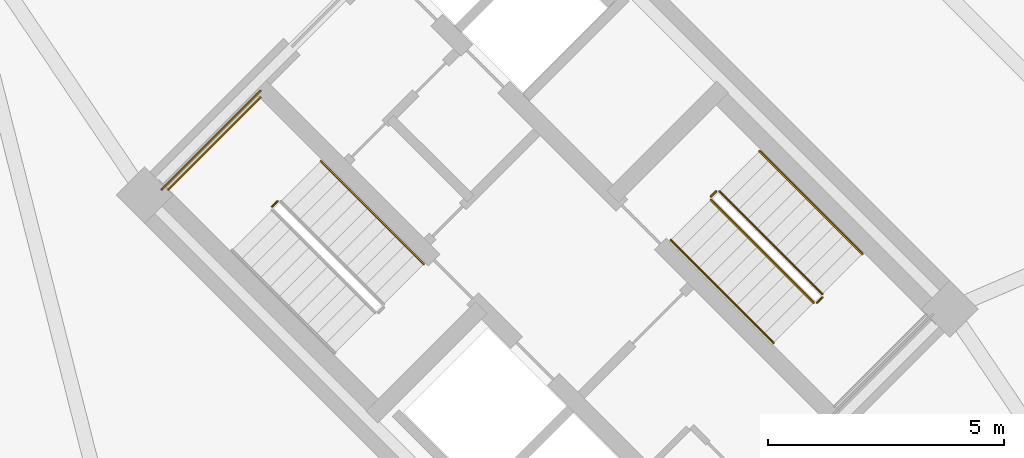
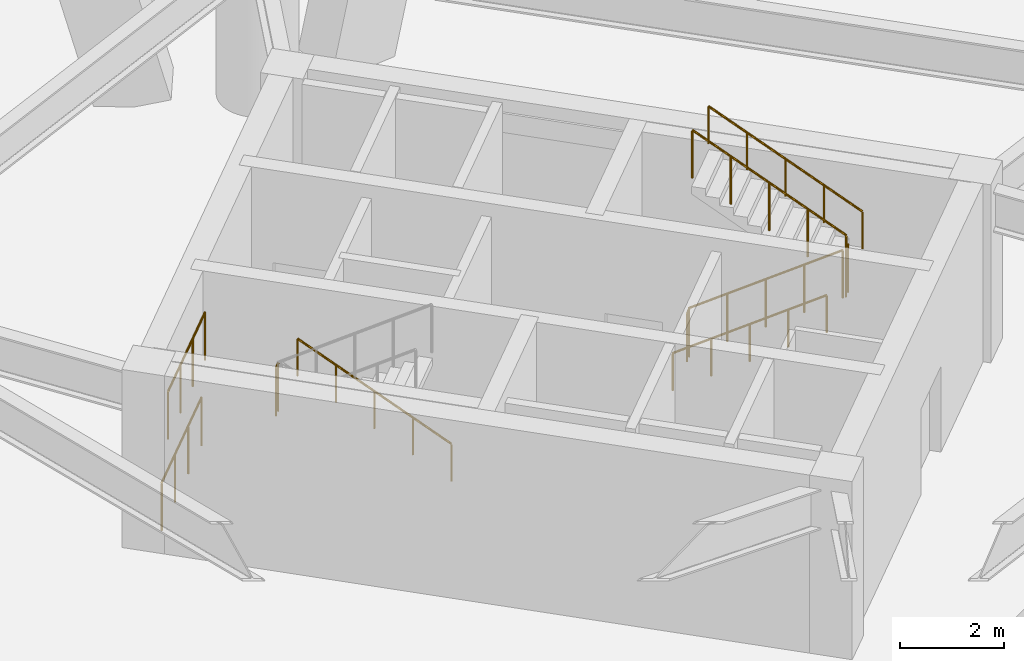
# One storey, part 18 of 20: 10 railings.
"""IFC4 building model written with IfcOpenShell, lengths in metres."""

from ifc_helpers import new_model, si_unit, direction, frame, origin, origin_2d, place, context, subcontext, project, spatial, circle, extrude, material, type_object, element, save


model = new_model("IFC4")

# Units and contexts
model_context = context("Model", 3, precision=1e-05, world=origin(), true_north=direction((0.0, 1.0)))
body_context = subcontext(model_context, "Body", "Model", "MODEL_VIEW")
ifc_project = project(units=[si_unit("LENGTHUNIT", "METRE"), si_unit("AREAUNIT", "SQUARE_METRE"), si_unit("VOLUMEUNIT", "CUBIC_METRE"), si_unit("PLANEANGLEUNIT", "RADIAN"), si_unit("MASSUNIT", "GRAM", prefix="KILO")], contexts=[model_context])

# Site, building, storey
site_placement = place(None, origin())
site = spatial("IfcSite", under=ifc_project, at=site_placement, CompositionType="ELEMENT")
building_placement = place(site_placement, origin())
building = spatial("IfcBuilding", under=site, at=building_placement, Name="Cununo Teusaquillo Station Towers", CompositionType="ELEMENT")
storey_placement = place(building_placement, frame((0.0, 0.0, 9.0)))
storey = spatial("IfcBuildingStorey", under=building, at=storey_placement, Name="L02", CompositionType="ELEMENT", Elevation=9.0)

# Railings
ifc_material_1 = material(Name="Steel EN 10025-2 S355J2", Category="steel")
railing_type_1 = type_object("IfcRailingType", Name="RL-INT-GUARD", PredefinedType="GUARDRAIL", material=ifc_material_1)
railing_1_placement = place(storey_placement, frame((51.78662109375, 25.57470703125, 2.10009765625)))
element("IfcRailing", 1, at=railing_1_placement, inside=storey, type_object=railing_type_1, Name="L02 ST-T2-1 stair guard 2", PredefinedType="GUARDRAIL", context=body_context, shape_type="SweptSolid", body=[
    extrude(circle(Radius=0.02392578125, at=origin_2d()), frame((0.0, 0.0, 1.1259765625), z_axis=(-0.707106781187, -0.707106781187, 0.0), x_axis=(0.707106781187, -0.707106781187, 0.0)), (0.0, 0.0, 1.0), 0.159912109375),
    extrude(circle(Radius=0.02099609375, at=origin_2d()), origin(), (0.0, 0.0, 1.0), 1.101806640625),
    extrude(circle(Radius=0.02099609375, at=origin_2d()), frame((-0.113037109375, -0.113037109375, 0.0)), (0.0, 0.0, 1.0), 1.101806640625),
])
railing_2_placement = place(storey_placement, frame((51.426025390625, 27.77392578125, 2.10009765625)))
element("IfcRailing", 2, at=railing_2_placement, inside=storey, type_object=railing_type_1, Name="L02 ST-T2-1 stair guard 3", PredefinedType="GUARDRAIL", context=body_context, shape_type="SweptSolid", body=[
    extrude(circle(Radius=0.02392578125, at=origin_2d()), frame((0.0, 0.0, 1.1259765625), z_axis=(-0.707106781187, -0.707106781187, 0.0), x_axis=(0.707106781187, -0.707106781187, 0.0)), (0.0, 0.0, 1.0), 2.760009765625),
    extrude(circle(Radius=0.02099609375, at=origin_2d()), origin(), (0.0, 0.0, 1.0), 1.101806640625),
    extrude(circle(Radius=0.02099609375, at=origin_2d()), frame((-0.650634765625, -0.650634765625, 0.0)), (0.0, 0.0, 1.0), 1.101806640625),
    extrude(circle(Radius=0.02099609375, at=origin_2d()), frame((-1.301025390625, -1.301025390625, 0.0)), (0.0, 0.0, 1.0), 1.101806640625),
    extrude(circle(Radius=0.02099609375, at=origin_2d()), frame((-1.95166015625, -1.95166015625, 0.0)), (0.0, 0.0, 1.0), 1.101806640625),
])
railing_3_placement = place(storey_placement, frame((51.426025390625, 27.915283203125, 0.0)))
element("IfcRailing", 3, at=railing_3_placement, inside=storey, type_object=railing_type_1, Name="L02 ST-T2-1 stair guard 6", PredefinedType="GUARDRAIL", context=body_context, shape_type="SweptSolid", body=[
    extrude(circle(Radius=0.02392578125, at=origin_2d()), frame((0.0, 0.0, 1.1259765625), z_axis=(-0.707106781187, -0.707106781187, 0.0), x_axis=(0.707106781187, -0.707106781187, 0.0)), (0.0, 0.0, 1.0), 2.9599609375),
    extrude(circle(Radius=0.02099609375, at=origin_2d()), origin(), (0.0, 0.0, 1.0), 1.101806640625),
    extrude(circle(Radius=0.02099609375, at=origin_2d()), frame((-0.69775390625, -0.69775390625, 0.0)), (0.0, 0.0, 1.0), 1.101806640625),
    extrude(circle(Radius=0.02099609375, at=origin_2d()), frame((-1.395263671875, -1.395263671875, 0.0)), (0.0, 0.0, 1.0), 1.101806640625),
    extrude(circle(Radius=0.02099609375, at=origin_2d()), frame((-2.093017578125, -2.093017578125, 0.0)), (0.0, 0.0, 1.0), 1.101806640625),
])
railing_4_placement = place(storey_placement, frame((60.96484375, 25.60302734375, 0.175048828125)))
element("IfcRailing", 4, at=railing_4_placement, inside=storey, type_object=railing_type_1, Name="L02 ST-T2-2 stair guard 1", PredefinedType="GUARDRAIL", context=body_context, shape_type="SweptSolid", body=[
    extrude(circle(Radius=0.02392578125, at=origin_2d()), frame((0.0, 0.0, 1.1259765625), z_axis=(0.599609127936, -0.599609127936, 0.530035647284), x_axis=(0.707106781187, 0.707106781187, 0.0)), (0.0, 0.0, 1.0), 3.6318359375),
    extrude(circle(Radius=0.02099609375, at=origin_2d()), origin(), (0.0, 0.0, 1.0), 1.101806640625),
    extrude(circle(Radius=0.02099609375, at=origin_2d()), frame((0.54443359375, -0.54443359375, 0.481201171875)), (0.0, 0.0, 1.0), 1.101806640625),
    extrude(circle(Radius=0.02099609375, at=origin_2d()), frame((1.0888671875, -1.0888671875, 0.96240234375)), (0.0, 0.0, 1.0), 1.101806640625),
    extrude(circle(Radius=0.02099609375, at=origin_2d()), frame((1.63330078125, -1.63330078125, 1.44384765625)), (0.0, 0.0, 1.0), 1.101806640625),
    extrude(circle(Radius=0.02099609375, at=origin_2d()), frame((2.177734375, -2.177734375, 1.925048828125)), (0.0, 0.0, 1.0), 1.101806640625),
])
railing_5_placement = place(storey_placement, frame((63.21337890625, 23.42529296875, 2.10009765625)))
element("IfcRailing", 5, at=railing_5_placement, inside=storey, type_object=railing_type_1, Name="L02 ST-T2-2 stair guard 2", PredefinedType="GUARDRAIL", context=body_context, shape_type="SweptSolid", body=[
    extrude(circle(Radius=0.02392578125, at=origin_2d()), frame((0.0, 0.0, 1.1259765625), z_axis=(0.707106781187, 0.707106781187, 0.0), x_axis=(-0.707106781187, 0.707106781187, 0.0)), (0.0, 0.0, 1.0), 0.159912109375),
    extrude(circle(Radius=0.02099609375, at=origin_2d()), origin(), (0.0, 0.0, 1.0), 1.101806640625),
    extrude(circle(Radius=0.02099609375, at=origin_2d()), frame((0.113037109375, 0.113037109375, 0.0)), (0.0, 0.0, 1.0), 1.101806640625),
])
railing_6_placement = place(storey_placement, frame((63.326416015625, 23.609130859375, 2.27490234375)))
element("IfcRailing", 6, at=railing_6_placement, inside=storey, type_object=railing_type_1, Name="L02 ST-T2-2 stair guard 4", PredefinedType="GUARDRAIL", context=body_context, shape_type="SweptSolid", body=[
    extrude(circle(Radius=0.02392578125, at=origin_2d()), frame((0.0, 0.0, 1.1259765625), z_axis=(-0.599609127936, 0.599609127936, 0.530035647284), x_axis=(-0.707106781187, -0.707106781187, 0.0)), (0.0, 0.0, 1.0), 3.6318359375),
    extrude(circle(Radius=0.02099609375, at=origin_2d()), origin(), (0.0, 0.0, 1.0), 1.101806640625),
    extrude(circle(Radius=0.02099609375, at=origin_2d()), frame((-0.54443359375, 0.54443359375, 0.481201171875)), (0.0, 0.0, 1.0), 1.101806640625),
    extrude(circle(Radius=0.02099609375, at=origin_2d()), frame((-1.0888671875, 1.0888671875, 0.96240234375)), (0.0, 0.0, 1.0), 1.101806640625),
    extrude(circle(Radius=0.02099609375, at=origin_2d()), frame((-1.63330078125, 1.63330078125, 1.44384765625)), (0.0, 0.0, 1.0), 1.101806640625),
    extrude(circle(Radius=0.02099609375, at=origin_2d()), frame((-2.177734375, 2.177734375, 1.925048828125)), (0.0, 0.0, 1.0), 1.101806640625),
])
railing_7_placement = place(storey_placement, frame((60.96484375, 25.673828125, 0.0)))
element("IfcRailing", 7, at=railing_7_placement, inside=storey, type_object=railing_type_1, Name="L02 ST-T2-2 stair guard 5", PredefinedType="GUARDRAIL", context=body_context, shape_type="SweptSolid", body=[
    extrude(circle(Radius=0.02392578125, at=origin_2d()), frame((0.0, 0.0, 1.1259765625), z_axis=(0.707106781187, 0.707106781187, 0.0), x_axis=(-0.707106781187, 0.707106781187, 0.0)), (0.0, 0.0, 1.0), 0.159912109375),
    extrude(circle(Radius=0.02099609375, at=origin_2d()), origin(), (0.0, 0.0, 1.0), 1.101806640625),
    extrude(circle(Radius=0.02099609375, at=origin_2d()), frame((0.113037109375, 0.113037109375, 0.0)), (0.0, 0.0, 1.0), 1.101806640625),
])
ifc_material_2 = material(Name="Steel EN 10025-2 S355J2", Category="steel")
railing_type_2 = type_object("IfcRailingType", Name="RL-INT-HRAIL", PredefinedType="HANDRAIL", material=ifc_material_2)
railing_8_placement = place(storey_placement, frame((54.8837890625, 24.245361328125, 0.175048828125)))
element("IfcRailing", 8, at=railing_8_placement, inside=storey, type_object=railing_type_2, Name="L02 ST-T2-1 stair handrail 1", PredefinedType="HANDRAIL", context=body_context, shape_type="SweptSolid", body=[
    extrude(circle(Radius=0.02392578125, at=origin_2d()), frame((0.0, 0.0, 0.8759765625), z_axis=(-0.599628010503, 0.599628010503, 0.529992922633), x_axis=(-0.707106781187, -0.707106781187, 0.0)), (0.0, 0.0, 1.0), 3.63232421875),
    extrude(circle(Radius=0.02099609375, at=origin_2d()), origin(), (0.0, 0.0, 1.0), 0.851806640625),
    extrude(circle(Radius=0.02099609375, at=origin_2d()), frame((-0.54443359375, 0.54443359375, 0.481201171875)), (0.0, 0.0, 1.0), 0.851806640625),
    extrude(circle(Radius=0.02099609375, at=origin_2d()), frame((-1.0888671875, 1.0888671875, 0.96240234375)), (0.0, 0.0, 1.0), 0.851806640625),
    extrude(circle(Radius=0.02099609375, at=origin_2d()), frame((-1.633544921875, 1.633544921875, 1.44384765625)), (0.0, 0.0, 1.0), 0.851806640625),
    extrude(circle(Radius=0.02099609375, at=origin_2d()), frame((-2.177978515625, 2.177978515625, 1.925048828125)), (0.0, 0.0, 1.0), 0.851806640625),
])
railing_9_placement = place(storey_placement, frame((60.1162109375, 24.754638671875, 0.175048828125)))
element("IfcRailing", 9, at=railing_9_placement, inside=storey, type_object=railing_type_2, Name="L02 ST-T2-2 stair handrail 1", PredefinedType="HANDRAIL", context=body_context, shape_type="SweptSolid", body=[
    extrude(circle(Radius=0.02392578125, at=origin_2d()), frame((0.0, 0.0, 0.8759765625), z_axis=(0.599628010503, -0.599628010503, 0.529992922633), x_axis=(0.707106781187, 0.707106781187, 0.0)), (0.0, 0.0, 1.0), 3.63232421875),
    extrude(circle(Radius=0.02099609375, at=origin_2d()), origin(), (0.0, 0.0, 1.0), 0.851806640625),
    extrude(circle(Radius=0.02099609375, at=origin_2d()), frame((0.54443359375, -0.54443359375, 0.481201171875)), (0.0, 0.0, 1.0), 0.851806640625),
    extrude(circle(Radius=0.02099609375, at=origin_2d()), frame((1.0888671875, -1.0888671875, 0.96240234375)), (0.0, 0.0, 1.0), 0.851806640625),
    extrude(circle(Radius=0.02099609375, at=origin_2d()), frame((1.633544921875, -1.633544921875, 1.44384765625)), (0.0, 0.0, 1.0), 0.851806640625),
    extrude(circle(Radius=0.02099609375, at=origin_2d()), frame((2.177978515625, -2.177978515625, 1.925048828125)), (0.0, 0.0, 1.0), 0.851806640625),
])
railing_10_placement = place(storey_placement, frame((64.175048828125, 24.45751953125, 2.27490234375)))
element("IfcRailing", 10, at=railing_10_placement, inside=storey, type_object=railing_type_2, Name="L02 ST-T2-2 stair handrail 2", PredefinedType="HANDRAIL", context=body_context, shape_type="SweptSolid", body=[
    extrude(circle(Radius=0.02392578125, at=origin_2d()), frame((0.0, 0.0, 0.8759765625), z_axis=(-0.599628010503, 0.599628010503, 0.529992922633), x_axis=(-0.707106781187, -0.707106781187, 0.0)), (0.0, 0.0, 1.0), 3.63232421875),
    extrude(circle(Radius=0.02099609375, at=origin_2d()), origin(), (0.0, 0.0, 1.0), 0.851806640625),
    extrude(circle(Radius=0.02099609375, at=origin_2d()), frame((-0.54443359375, 0.54443359375, 0.481201171875)), (0.0, 0.0, 1.0), 0.851806640625),
    extrude(circle(Radius=0.02099609375, at=origin_2d()), frame((-1.0888671875, 1.0888671875, 0.96240234375)), (0.0, 0.0, 1.0), 0.851806640625),
    extrude(circle(Radius=0.02099609375, at=origin_2d()), frame((-1.633544921875, 1.633544921875, 1.44384765625)), (0.0, 0.0, 1.0), 0.851806640625),
    extrude(circle(Radius=0.02099609375, at=origin_2d()), frame((-2.177978515625, 2.177978515625, 1.925048828125)), (0.0, 0.0, 1.0), 0.851806640625),
])

save(model, "model.ifc")
